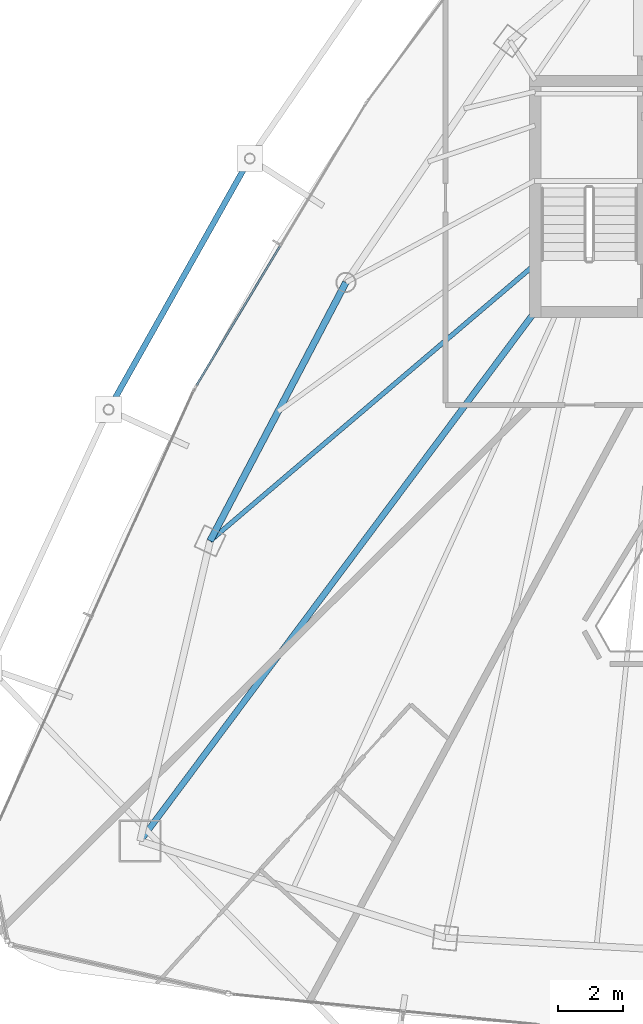
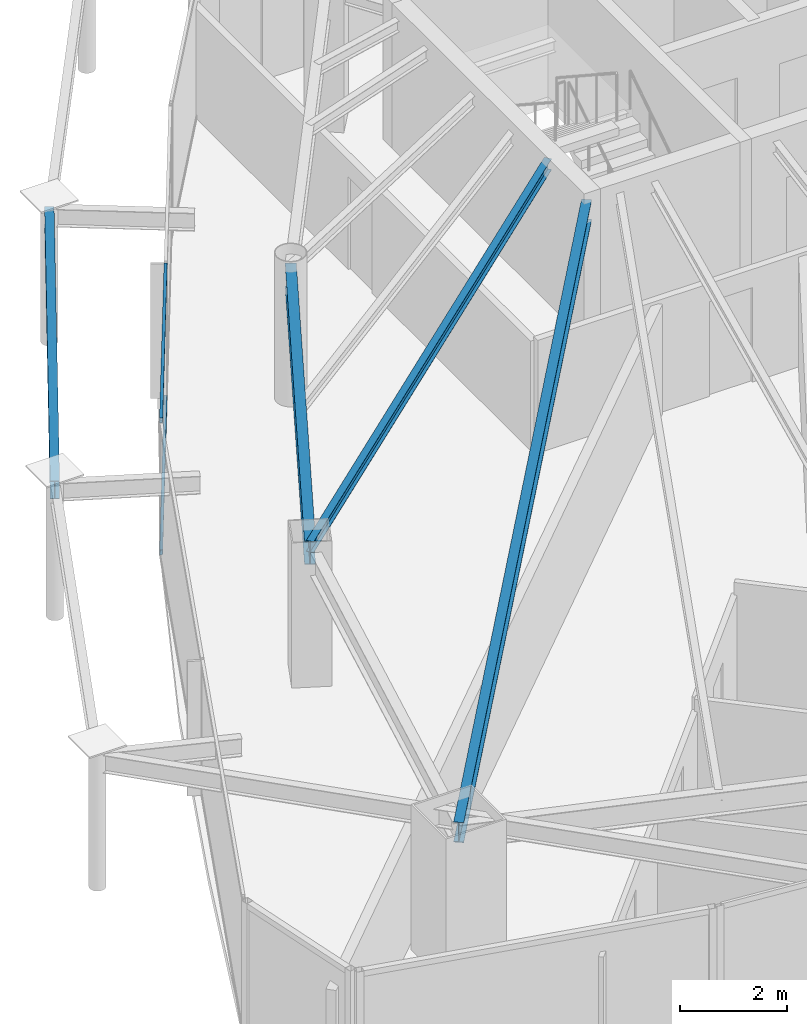
# One storey, part 12 of 34: 4 beams, 2 members, 1 element without a shape of its own.
"""IFC4 building model written with IfcOpenShell, lengths in metres."""

import ifcopenshell
import ifcopenshell.guid

model = None  # the IFC model being written
_history = None  # IfcOwnerHistory: only IFC2X3 demands one
_inside = {}  # id of a spatial element -> (the spatial element, [elements in it])
_under = {}  # id of a project, library or spatial element -> (it, [spatial elements below it])
_declared = {}  # id of a project -> (the project, [libraries it declares])
_typed = {}  # id of a type object -> (the type object, [elements of that type])
_made_of = {}  # id of a material, layer set ... -> (it, [elements and type objects made of it])


def new_model(schema):
    """Start an empty IFC model of exactly this schema.

    Asked for "IFC4X3", IfcOpenShell would pick the latest addendum, in which some entities
    have other attributes; the version numbers below select the first issue.
    IFC2X3 requires an IfcOwnerHistory on every rooted entity: one is made here for all.
    """
    global model, _history
    if schema == "IFC4X3":
        model = ifcopenshell.file(schema_version=(4, 3, 0, 0))
    else:
        model = ifcopenshell.file(schema=schema)
    _inside.clear()
    _under.clear()
    _declared.clear()
    _typed.clear()
    _made_of.clear()
    _history = None
    if model.schema == "IFC2X3":
        org = make("IfcOrganization", Name="unknown")
        user = make(
            "IfcPersonAndOrganization",
            ThePerson=make("IfcPerson", FamilyName="unknown"),
            TheOrganization=org,
        )
        app = make(
            "IfcApplication",
            ApplicationDeveloper=org,
            Version="unknown",
            ApplicationFullName="unknown",
            ApplicationIdentifier="unknown",
        )
        _history = make(
            "IfcOwnerHistory",
            OwningUser=user,
            OwningApplication=app,
            ChangeAction="ADDED",
            CreationDate=0,
        )
    return model


def make(cls, **values):
    """One entity of the class cls with the attributes given. An attribute that is None is left unset."""
    return model.create_entity(
        cls, **{name: value for name, value in values.items() if value is not None}
    )


def rooted(cls, **values):
    """An entity with a GlobalId (a new one), such as an element, a storey or a relation."""
    return make(cls, GlobalId=ifcopenshell.guid.new(), OwnerHistory=_history, **values)


def si_unit(unit_type, name, prefix=None):
    """IfcSIUnit, for example si_unit("LENGTHUNIT", "METRE", prefix="MILLI")."""
    return make("IfcSIUnit", UnitType=unit_type, Prefix=prefix, Name=name)


def assignment(units):
    """IfcUnitAssignment: the units of a project."""
    return None if units is None else make("IfcUnitAssignment", Units=units)


def point(xyz):
    """IfcCartesianPoint."""
    return None if xyz is None else make("IfcCartesianPoint", Coordinates=xyz)


def direction(xyz):
    """IfcDirection."""
    return None if xyz is None else make("IfcDirection", DirectionRatios=xyz)


def frame(location, z_axis=None, x_axis=None):
    """IfcAxis2Placement3D, a coordinate frame: its origin and axes. An axis left out is left unset."""
    return make(
        "IfcAxis2Placement3D",
        Location=point(location),
        Axis=direction(z_axis),
        RefDirection=direction(x_axis),
    )


def frame_2d(location, x_axis=None):
    """IfcAxis2Placement2D, a coordinate frame in the plane: its origin and x axis."""
    return make(
        "IfcAxis2Placement2D", Location=point(location), RefDirection=direction(x_axis)
    )


def origin():
    """The frame at (0, 0, 0) with its axes left unset."""
    return frame((0.0, 0.0, 0.0))


def origin_2d():
    """The frame at (0, 0) in the plane with its x axis left unset."""
    return frame_2d((0.0, 0.0))


def place(relative_to, where):
    """IfcLocalPlacement: puts the frame where relative to a parent placement (None: the world)."""
    return make(
        "IfcLocalPlacement", PlacementRelTo=relative_to, RelativePlacement=where
    )


def context(
    kind, dimensions, precision=None, world=None, true_north=None, identifier=None
):
    """IfcGeometricRepresentationContext, for example the 3D "Model" context."""
    return make(
        "IfcGeometricRepresentationContext",
        ContextIdentifier=identifier,
        ContextType=kind,
        CoordinateSpaceDimension=dimensions,
        Precision=precision,
        WorldCoordinateSystem=world,
        TrueNorth=true_north,
    )


def subcontext(parent, identifier, kind, view, scale=None):
    """IfcGeometricRepresentationSubContext, for example "Body" below "Model"."""
    return make(
        "IfcGeometricRepresentationSubContext",
        ContextIdentifier=identifier,
        ContextType=kind,
        ParentContext=parent,
        TargetScale=scale,
        TargetView=view,
    )


def project(units=None, contexts=None):
    """IfcProject with its units and contexts."""
    return rooted(
        "IfcProject",
        Name="project",
        RepresentationContexts=contexts,
        UnitsInContext=assignment(units),
    )


def spatial(cls, under=None, at=None, **own):
    """A site, building, storey or space (cls), placed at a placement, below another one or the project."""
    s = rooted(cls, ObjectPlacement=at, **own)
    if under is not None:
        _under.setdefault(under.id(), (under, []))[1].append(s)
    return s


def profile(cls, at=None, kind="AREA", **sizes):
    """A parametric profile (cls). Its sizes go by their IFC names, for example OverallWidth=200.0."""
    return make(cls, ProfileType=kind, Position=at, **sizes)


def hollow_rectangle(**sizes):
    """IfcRectangleHollowProfileDef."""
    return profile("IfcRectangleHollowProfileDef", **sizes)


def i_section(**sizes):
    """IfcIShapeProfileDef."""
    return profile("IfcIShapeProfileDef", **sizes)


def extrude(swept, where, along, depth):
    """IfcExtrudedAreaSolid: the profile swept, set in the frame where, extruded along a direction by depth."""
    return make(
        "IfcExtrudedAreaSolid",
        SweptArea=swept,
        Position=where,
        ExtrudedDirection=direction(along),
        Depth=depth,
    )


def shape(context_of_items, identifier, shape_type, items):
    """IfcShapeRepresentation: the items that make up one representation, for example the "Body"."""
    return make(
        "IfcShapeRepresentation",
        ContextOfItems=context_of_items,
        RepresentationIdentifier=identifier,
        RepresentationType=shape_type,
        Items=items,
    )


def material(Name=None, Category=None):
    """IfcMaterial."""
    return make("IfcMaterial", Name=Name, Category=Category)


def layer(
    of_material, thickness, ventilated=None, Name=None, Category=None, Priority=None
):
    """IfcMaterialLayer: one layer of a wall or slab, of a material (None: an air gap)."""
    return make(
        "IfcMaterialLayer",
        Material=of_material,
        LayerThickness=thickness,
        IsVentilated=ventilated,
        Name=Name,
        Category=Category,
        Priority=Priority,
    )


def layer_set(layers, Name=None):
    """IfcMaterialLayerSet."""
    return make("IfcMaterialLayerSet", MaterialLayers=layers, LayerSetName=Name)


def material_profile(
    of_material, cross_section, Name=None, Category=None, Priority=None
):
    """IfcMaterialProfile: a cross section and its material."""
    return make(
        "IfcMaterialProfile",
        Name=Name,
        Material=of_material,
        Profile=cross_section,
        Priority=Priority,
        Category=Category,
    )


def profile_set(profiles, Name=None, composite=None):
    """IfcMaterialProfileSet."""
    return make(
        "IfcMaterialProfileSet",
        Name=Name,
        MaterialProfiles=profiles,
        CompositeProfile=composite,
    )


def made_of(thing, what):
    """Note that an element or type object is made of a material, layer set ...; save() writes the relation."""
    if what is not None:
        _made_of.setdefault(what.id(), (what, []))[1].append(thing)
    return thing


def type_object(cls, material=None, **own):
    """A type object (cls), such as IfcWallType, which elements share."""
    return made_of(rooted(cls, **own), material)


def element(
    cls,
    number,
    at=None,
    inside=None,
    cuts=None,
    type_object=None,
    material=None,
    context=None,
    identifier="Body",
    shape_type=None,
    held_by="IfcProductDefinitionShape",
    body=None,
    shapes=None,
    **own,
):
    """One element of the class cls, such as IfcWall. Its Tag is "e" and its number.

    at: its placement. inside: the storey or other place that contains it. cuts: it is an
    opening in that element (IfcRelVoidsElement). A single representation is given by context,
    identifier, shape_type and body (its items); several are given by shapes. held_by: the class
    of the entity that holds the representations. save() writes the other relations.
    """
    e = rooted(cls, Tag="e%d" % number, ObjectPlacement=at, **own)
    if body is not None:
        shapes = [shape(context, identifier, shape_type, body)]
    if shapes is not None:
        e.Representation = make(held_by, Representations=shapes)
    if inside is not None:
        _inside.setdefault(inside.id(), (inside, []))[1].append(e)
    if cuts is not None:
        rooted(
            "IfcRelVoidsElement", RelatingBuildingElement=cuts, RelatedOpeningElement=e
        )
    if type_object is not None:
        _typed.setdefault(type_object.id(), (type_object, []))[1].append(e)
    return made_of(e, material)


def aggregate(whole, parts):
    """IfcRelAggregates: a whole, such as a stair, and the parts it consists of."""
    return rooted("IfcRelAggregates", RelatingObject=whole, RelatedObjects=parts)


def save(model, path):
    """Write the relations noted so far, then the file.

    IfcRelAggregates (storeys below a building ...), IfcRelContainedInSpatialStructure (elements
    in a storey), IfcRelDefinesByType, IfcRelAssociatesMaterial and IfcRelDeclares: one each for
    every whole, place, type object, material and project.
    """
    for whole, parts in _under.values():
        aggregate(whole, parts)
    for where, things in _inside.values():
        rooted(
            "IfcRelContainedInSpatialStructure",
            RelatedElements=things,
            RelatingStructure=where,
        )
    for kind, things in _typed.values():
        rooted("IfcRelDefinesByType", RelatedObjects=things, RelatingType=kind)
    for what, things in _made_of.values():
        rooted("IfcRelAssociatesMaterial", RelatedObjects=things, RelatingMaterial=what)
    for by, libraries in _declared.values():
        rooted("IfcRelDeclares", RelatingContext=by, RelatedDefinitions=libraries)
    model.write(path)


model = new_model("IFC4")

# Units and contexts
model_context = context("Model", 3, precision=1e-05, world=origin(), true_north=direction((0.0, 1.0)))
body_context = subcontext(model_context, "Body", "Model", "MODEL_VIEW")
ifc_project = project(units=[si_unit("LENGTHUNIT", "METRE"), si_unit("AREAUNIT", "SQUARE_METRE"), si_unit("VOLUMEUNIT", "CUBIC_METRE"), si_unit("PLANEANGLEUNIT", "RADIAN"), si_unit("MASSUNIT", "GRAM", prefix="KILO")], contexts=[model_context])

# Site, building, storey
site_placement = place(None, origin())
site = spatial("IfcSite", under=ifc_project, at=site_placement, CompositionType="ELEMENT")
building_placement = place(site_placement, origin())
building = spatial("IfcBuilding", under=site, at=building_placement, Name="Orvanel Arch Residences", CompositionType="ELEMENT")
storey_placement = place(building_placement, frame((0.0, 0.0, 203.0)))
storey = spatial("IfcBuildingStorey", under=building, at=storey_placement, Name="L57", CompositionType="ELEMENT", Elevation=203.0)

# Beams
ifc_material_1 = material(Name="Structural steel AS/NZS 3679.1 Grade 300 (300 MPa)", Category="steel")
ifc_material_profile_1 = material_profile(ifc_material_1, i_section(OverallWidth=0.19091796875, OverallDepth=0.4599609375, WebThickness=0.010009765625, FlangeThickness=0.01611328125, at=origin_2d()), Name="460UB82.1")
ifc_profile_set_1 = profile_set([ifc_material_profile_1], Name="Structural steel AS/NZS 3679.1 Grade 300 (300 MPa)")
beam_type_1 = type_object("IfcBeamType", Name="BG-460UB", PredefinedType="BEAM", material=ifc_profile_set_1)
beam_1_placement = place(storey_placement, frame((26.375, 26.675048828125, 2.830078125), z_axis=(-0.597893733742, -0.801575375839, 0.0), x_axis=(0.801575375839, -0.597893733742, 0.0)))
element("IfcBeam", 1, at=beam_1_placement, inside=storey, type_object=beam_type_1, Name="L57 South-West Radial Girder", PredefinedType="BEAM", context=body_context, shape_type="SweptSolid", body=[
    extrude(i_section(OverallWidth=0.19091796875, OverallDepth=0.4599609375, WebThickness=0.010009765625, FlangeThickness=0.01611328125, at=origin_2d()), origin(), (0.0, 0.0, 1.0), 20.36474609375),
])
ifc_material_profile_2 = material_profile(ifc_material_1, i_section(OverallWidth=0.14599609375, OverallDepth=0.251953125, WebThickness=0.006103515625, FlangeThickness=0.008544921875, at=origin_2d()), Name="250UB31.4")
ifc_profile_set_2 = profile_set([ifc_material_profile_2], Name="Structural steel AS/NZS 3679.1 Grade 300 (300 MPa)")
beam_type_2 = type_object("IfcBeamType", Name="BJ-250UB", PredefinedType="JOIST", material=ifc_profile_set_2)
beam_2_placement = place(storey_placement, frame((26.425048828125, 28.199951171875, 2.93408203125), z_axis=(-0.761622669031, -0.64802076357, 0.0), x_axis=(0.64802076357, -0.761622669031, 0.0)))
element("IfcBeam", 2, at=beam_2_placement, inside=storey, type_object=beam_type_2, Name="L57 W Wing Floor Joist", PredefinedType="JOIST", context=body_context, shape_type="SweptSolid", body=[
    extrude(i_section(OverallWidth=0.14599609375, OverallDepth=0.251953125, WebThickness=0.006103515625, FlangeThickness=0.008544921875, at=origin_2d()), origin(), (0.0, 0.0, 1.0), 13.2060546875),
])
ifc_material_profile_3 = material_profile(ifc_material_1, i_section(OverallWidth=0.177978515625, OverallDepth=0.406005859375, WebThickness=0.0078125, FlangeThickness=0.0126953125, at=origin_2d()), Name="410UB59.7")
ifc_profile_set_3 = profile_set([ifc_material_profile_3], Name="Structural steel AS/NZS 3679.1 Grade 300 (300 MPa)")
beam_type_3 = type_object("IfcBeamType", Name="OB-410UB-EXT", PredefinedType="SPANDREL", material=ifc_profile_set_3)
beam_3_placement = place(storey_placement, frame((17.593017578125, 31.47509765625, 2.85693359375), z_axis=(-0.490007708423, -0.871718099896, 0.0), x_axis=(0.871718099896, -0.490007708423, 0.0)))
element("IfcBeam", 3, at=beam_3_placement, inside=storey, type_object=beam_type_3, Name="L57 Outer Perimeter Floor Ring Beam 02", PredefinedType="SPANDREL", context=body_context, shape_type="SweptSolid", body=[
    extrude(i_section(OverallWidth=0.177978515625, OverallDepth=0.406005859375, WebThickness=0.0078125, FlangeThickness=0.0126953125, at=origin_2d()), origin(), (0.0, 0.0, 1.0), 8.916015625),
])
ifc_material_profile_4 = material_profile(ifc_material_1, i_section(OverallWidth=0.208984375, OverallDepth=0.532958984375, WebThickness=0.01025390625, FlangeThickness=0.015625, at=origin_2d()), Name="530UB92.4")
ifc_profile_set_4 = profile_set([ifc_material_profile_4], Name="Structural steel AS/NZS 3679.1 Grade 300 (300 MPa)")
beam_type_4 = type_object("IfcBeamType", Name="SP-530UB", PredefinedType="SPANDREL", material=ifc_profile_set_4)
beam_4_placement = place(storey_placement, frame((20.569091796875, 27.64111328125, 2.79296875), z_axis=(-0.465064762793, -0.885276660942, 0.0), x_axis=(0.885276660942, -0.465064762793, 0.0)))
element("IfcBeam", 4, at=beam_4_placement, inside=storey, type_object=beam_type_4, Name="L57 Perimeter Spandrel Beam 12", PredefinedType="SPANDREL", context=body_context, shape_type="SweptSolid", body=[
    extrude(i_section(OverallWidth=0.208984375, OverallDepth=0.532958984375, WebThickness=0.01025390625, FlangeThickness=0.015625, at=origin_2d()), origin(), (0.0, 0.0, 1.0), 9.03564453125),
])

# Curtain wall, members
ifc_material_2 = material(Name="Bronze-anodised aluminium AA6063-T6", Category="aluminium")
ifc_layer = layer(ifc_material_2, 0.175048828125)
ifc_layer_set = layer_set([ifc_layer], Name="Bronze-anodised aluminium AA6063-T6")
curtain_wall_type = type_object("IfcCurtainWallType", Name="CW4-HI-SYS", PredefinedType="NOTDEFINED", material=ifc_layer_set)
curtain_wall_placement = place(storey_placement, origin())
curtain_wall = element("IfcCurtainWall", 5, at=curtain_wall_placement, inside=storey, type_object=curtain_wall_type, Name="L57 CW4-HI-SYS Unitised Curtain Wall", PredefinedType="NOTDEFINED")
ifc_material_profile_5 = material_profile(ifc_material_2, hollow_rectangle(XDim=0.06005859375, YDim=0.1201171875, WallThickness=0.00341796875, at=origin_2d()), Name="ALU120x60x3.5")
ifc_profile_set_5 = profile_set([ifc_material_profile_5], Name="Bronze-anodised aluminium AA6063-T6")
member_type = type_object("IfcMemberType", Name="TRN-120x60", PredefinedType="USERDEFINED", material=ifc_profile_set_5)
member_1_placement = place(storey_placement, frame((18.53271484375, 28.770751953125, 0.030029296875), z_axis=(-0.514495755428, -0.857492925713, 0.0), x_axis=(0.857492925713, -0.514495755428, 0.0)))
member_1 = element("IfcMember", 6, at=member_1_placement, type_object=member_type, Name="CW-S4 transom 2.1", ObjectType="TRANSOM", PredefinedType="USERDEFINED", context=body_context, shape_type="SweptSolid", body=[
    extrude(hollow_rectangle(XDim=0.06005859375, YDim=0.1201171875, WallThickness=0.00341796875, at=origin_2d()), origin(), (0.0, 0.0, 1.0), 5.031005859375),
])
member_2_placement = place(storey_placement, frame((18.53271484375, 28.770751953125, 3.030029296875), z_axis=(-0.514495755428, -0.857492925713, 0.0), x_axis=(0.857492925713, -0.514495755428, 0.0)))
member_2 = element("IfcMember", 7, at=member_2_placement, type_object=member_type, Name="CW-S4 transom 2.2", ObjectType="TRANSOM", PredefinedType="USERDEFINED", context=body_context, shape_type="SweptSolid", body=[
    extrude(hollow_rectangle(XDim=0.06005859375, YDim=0.1201171875, WallThickness=0.00341796875, at=origin_2d()), origin(), (0.0, 0.0, 1.0), 5.031005859375),
])
aggregate(curtain_wall, [member_1, member_2])

save(model, "model.ifc")
